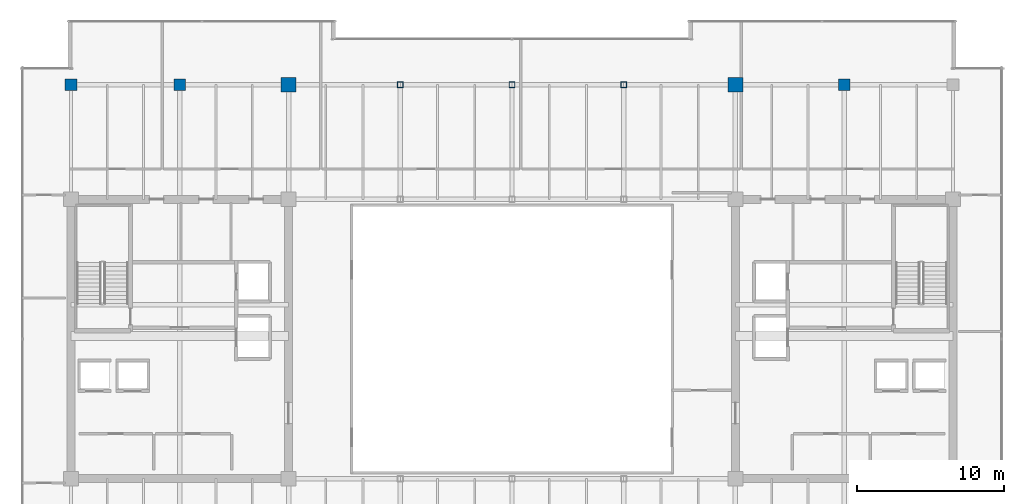
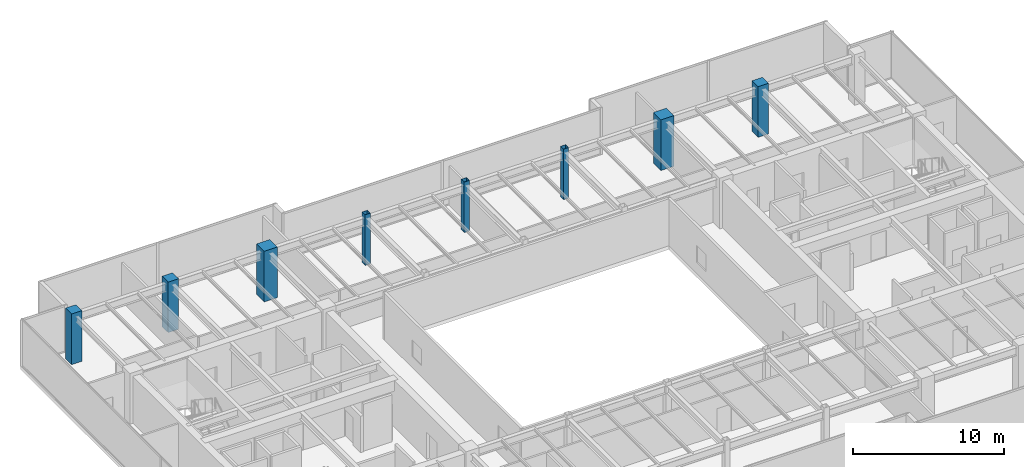
# One storey, part 3 of 33: 8 columns.
"""IFC4 building model written with IfcOpenShell, lengths in metres."""

from ifc_helpers import new_model, si_unit, direction, frame, origin, origin_2d, place, context, subcontext, project, spatial, rectangle, hollow_rectangle, extrude, source, transform, mapped, material, material_profile, profile_set, type_object, type_shapes, element, save


model = new_model("IFC4")

# Units and contexts
model_context = context("Model", 3, precision=1e-05, world=origin(), true_north=direction((0.0, 1.0)))
body_context = subcontext(model_context, "Body", "Model", "MODEL_VIEW")
ifc_project = project(units=[si_unit("LENGTHUNIT", "METRE"), si_unit("AREAUNIT", "SQUARE_METRE"), si_unit("VOLUMEUNIT", "CUBIC_METRE"), si_unit("PLANEANGLEUNIT", "RADIAN"), si_unit("MASSUNIT", "GRAM", prefix="KILO")], contexts=[model_context])

# Site, building, storey
site_placement = place(None, origin())
site = spatial("IfcSite", under=ifc_project, at=site_placement, CompositionType="ELEMENT")
building_placement = place(site_placement, origin())
building = spatial("IfcBuilding", under=site, at=building_placement, Name="Haelvirn Gate Laboratories", CompositionType="ELEMENT")
storey_placement = place(building_placement, frame((0.0, 0.0, 271.10009765625)))
storey = spatial("IfcBuildingStorey", under=building, at=storey_placement, Name="L65", CompositionType="ELEMENT", Elevation=271.10009765625)

# Columns
ifc_material_1 = material(Name="Concrete C60/75", Category="concrete")
ifc_material_profile_1 = material_profile(ifc_material_1, rectangle(XDim=1.0, YDim=1.0, at=origin_2d()), Name="RC-1000x1000")
ifc_profile_set_1 = profile_set([ifc_material_profile_1], Name="Concrete C60/75")
column_type_1 = type_object("IfcColumnType", Name="COL-RC-1000", PredefinedType="COLUMN", material=ifc_profile_set_1)
shared_shape_1 = source(origin(), body_context, "Body", "SweptSolid", [
    extrude(rectangle(XDim=1.0, YDim=1.0, at=origin_2d()), origin(), (0.0, 0.0, 1.0), 4.099853515625),
])
type_shapes(column_type_1, [shared_shape_1])
for number, where, z_axis, x_axis, name in (
    (1, (22.199951171875, 41.60009765625, 0.0), (0.0, 0.0, 1.0), (1.0, 0.0, 0.0), "L65 Column 4G"),
    (2, (52.60009765625, 41.60009765625, 0.0), (0.0, 0.0, 1.0), (1.0, 0.0, 0.0), "L65 Column 8G"),
):
    element("IfcColumn", number, at=place(storey_placement, frame(where, z_axis=z_axis, x_axis=x_axis)), inside=storey, type_object=column_type_1, Name=name, PredefinedType="COLUMN", context=body_context, shape_type="MappedRepresentation", body=[
        mapped(shared_shape_1, transform((0.0, 0.0, 0.0), scale=1.0)),
    ])
ifc_material_2 = material(Name="Concrete C50/60", Category="concrete")
ifc_material_profile_2 = material_profile(ifc_material_2, rectangle(XDim=0.800048828125, YDim=0.800048828125, at=origin_2d()), Name="RC-800x800")
ifc_profile_set_2 = profile_set([ifc_material_profile_2], Name="Concrete C50/60")
column_type_2 = type_object("IfcColumnType", Name="COL-RC-800", PredefinedType="COLUMN", material=ifc_profile_set_2)
shared_shape_2 = source(origin(), body_context, "Body", "SweptSolid", [
    extrude(rectangle(XDim=0.800048828125, YDim=0.800048828125, at=origin_2d()), origin(), (0.0, 0.0, 1.0), 4.099853515625),
])
type_shapes(column_type_2, [shared_shape_2])
for number, where, z_axis, x_axis, name in (
    (3, (14.800048828125, 41.60009765625, 0.0), (0.0, 0.0, 1.0), (1.0, 0.0, 0.0), "L65 Column 3G"),
    (4, (60.0, 41.60009765625, 0.0), (0.0, 0.0, 1.0), (1.0, 0.0, 0.0), "L65 Column 9G"),
    (5, (7.39990234375, 41.60009765625, 0.0), (0.0, 0.0, 1.0), (1.0, 0.0, 0.0), "L65 Column 2G"),
):
    element("IfcColumn", number, at=place(storey_placement, frame(where, z_axis=z_axis, x_axis=x_axis)), inside=storey, type_object=column_type_2, Name=name, PredefinedType="COLUMN", context=body_context, shape_type="MappedRepresentation", body=[
        mapped(shared_shape_2, transform((0.0, 0.0, 0.0), scale=1.0)),
    ])
ifc_material_3 = material(Name="Steel SM355", Category="steel")
ifc_material_profile_3 = material_profile(ifc_material_3, hollow_rectangle(XDim=0.39990234375, YDim=0.39990234375, WallThickness=0.01904296875, at=origin_2d()), Name="BOX-400x400x19")
ifc_profile_set_3 = profile_set([ifc_material_profile_3], Name="Steel SM355")
column_type_3 = type_object("IfcColumnType", Name="COL-BOX-400", PredefinedType="COLUMN", material=ifc_profile_set_3)
shared_shape_3 = source(origin(), body_context, "Body", "SweptSolid", [
    extrude(hollow_rectangle(XDim=0.39990234375, YDim=0.39990234375, WallThickness=0.01904296875, at=origin_2d()), origin(), (0.0, 0.0, 1.0), 4.099853515625),
])
type_shapes(column_type_3, [shared_shape_3])
for number, where, z_axis, x_axis, name in (
    (6, (29.800048828125, 41.60009765625, 0.0), (0.0, 0.0, 1.0), (1.0, 0.0, 0.0), "L65 Column 5G"),
    (7, (37.39990234375, 41.60009765625, 0.0), (0.0, 0.0, 1.0), (1.0, 0.0, 0.0), "L65 Column 6G"),
    (8, (45.0, 41.60009765625, 0.0), (0.0, 0.0, 1.0), (1.0, 0.0, 0.0), "L65 Column 7G"),
):
    element("IfcColumn", number, at=place(storey_placement, frame(where, z_axis=z_axis, x_axis=x_axis)), inside=storey, type_object=column_type_3, Name=name, PredefinedType="COLUMN", context=body_context, shape_type="MappedRepresentation", body=[
        mapped(shared_shape_3, transform((0.0, 0.0, 0.0), scale=1.0)),
    ])

save(model, "model.ifc")
